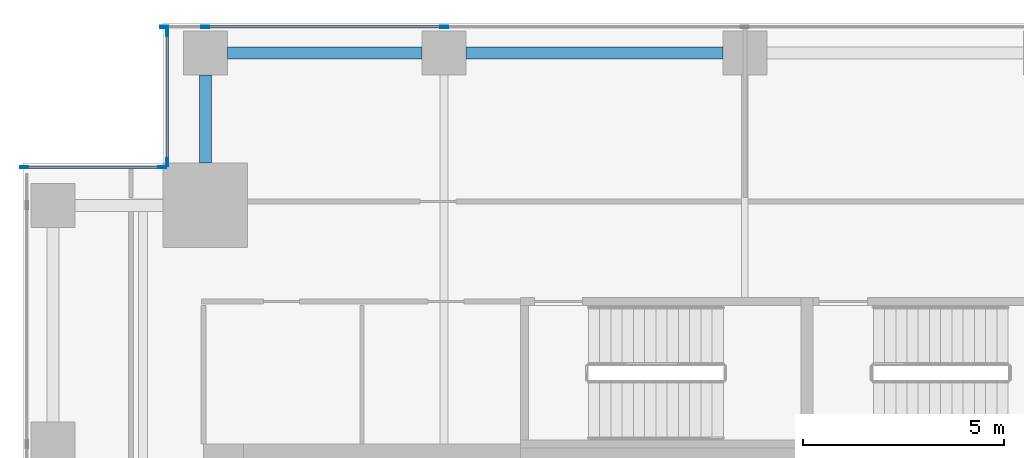
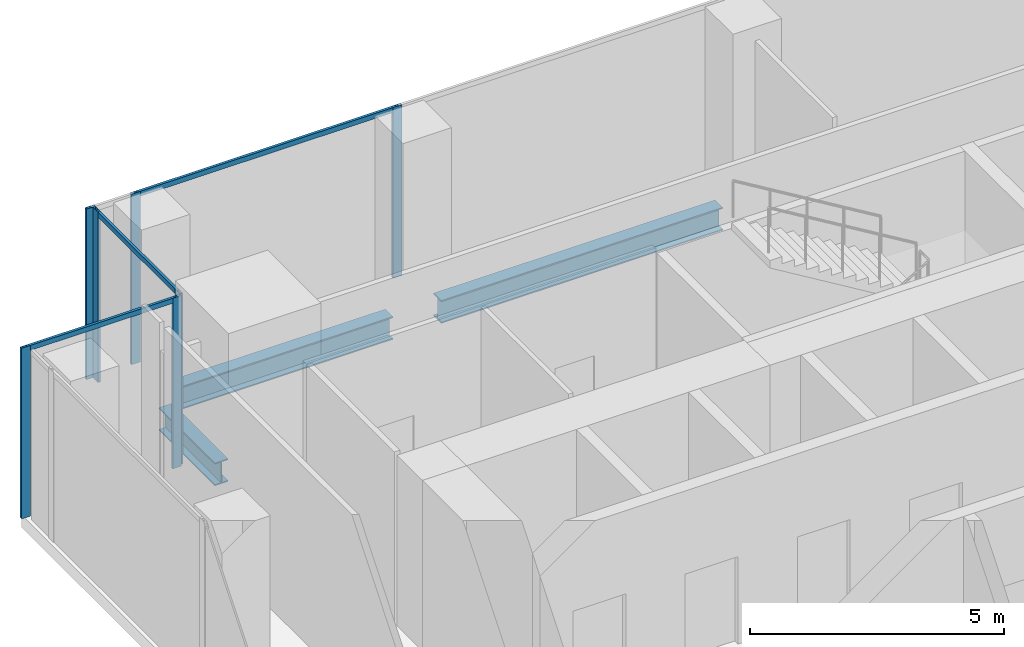
# One storey, part 16 of 34: 10 members, 3 beams, 3 elements without a shape of their own.
"""IFC4 building model written with IfcOpenShell, lengths in metres."""

from ifc_helpers import new_model, si_unit, direction, frame, origin, origin_2d, place, context, subcontext, project, spatial, hollow_rectangle, i_section, extrude, source, transform, mapped, material, material_profile, profile_set, type_object, element, aggregate, save


model = new_model("IFC4")

# Units and contexts
model_context = context("Model", 3, precision=1e-05, world=origin(), true_north=direction((0.0, 1.0)))
body_context = subcontext(model_context, "Body", "Model", "MODEL_VIEW")
ifc_project = project(units=[si_unit("LENGTHUNIT", "METRE"), si_unit("AREAUNIT", "SQUARE_METRE"), si_unit("VOLUMEUNIT", "CUBIC_METRE"), si_unit("PLANEANGLEUNIT", "RADIAN"), si_unit("MASSUNIT", "GRAM", prefix="KILO")], contexts=[model_context])

# Site, building, storey
site_placement = place(None, origin())
site = spatial("IfcSite", under=ifc_project, at=site_placement, CompositionType="ELEMENT")
building_placement = place(site_placement, origin())
building = spatial("IfcBuilding", under=site, at=building_placement, Name="Khomas Fold Tower", CompositionType="ELEMENT")
storey_placement = place(building_placement, frame((0.0, 0.0, 123.5)))
storey = spatial("IfcBuildingStorey", under=building, at=storey_placement, Name="L26", CompositionType="ELEMENT", Elevation=123.5)

# Beams
ifc_material_1 = material(Name="Steel S355", Category="steel")
ifc_material_profile_1 = material_profile(ifc_material_1, i_section(OverallWidth=0.300048828125, OverallDepth=0.550048828125, WebThickness=0.014892578125, FlangeThickness=0.029052734375, at=origin_2d()), Name="HE 550 B")
ifc_profile_set_1 = profile_set([ifc_material_profile_1], Name="Steel S355")
beam_type = type_object("IfcBeamType", Name="HE 550 B spandrel SB2", PredefinedType="SPANDREL", material=ifc_profile_set_1)
shared_shape_1 = source(origin(), body_context, "Body", "SweptSolid", [
    extrude(i_section(OverallWidth=0.300048828125, OverallDepth=0.550048828125, WebThickness=0.014892578125, FlangeThickness=0.029052734375, at=origin_2d()), origin(), (0.0, 0.0, 1.0), 4.849853515625),
])
beam_1_placement = place(storey_placement, frame((6.60009765625, 51.75, -0.574951171875), z_axis=(1.0, 0.0, 0.0), x_axis=(0.0, 1.0, 0.0)))
element("IfcBeam", 1, at=beam_1_placement, inside=storey, type_object=beam_type, Name="SB2", PredefinedType="SPANDREL", context=body_context, shape_type="MappedRepresentation", body=[
    mapped(shared_shape_1, transform((0.0, 0.0, 0.0))),
])
shared_shape_2 = source(origin(), body_context, "Body", "SweptSolid", [
    extrude(i_section(OverallWidth=0.300048828125, OverallDepth=0.550048828125, WebThickness=0.014892578125, FlangeThickness=0.029052734375, at=origin_2d()), origin(), (0.0, 0.0, 1.0), 6.39990234375),
])
beam_2_placement = place(storey_placement, frame((12.550048828125, 51.75, -0.574951171875), z_axis=(1.0, 0.0, 0.0), x_axis=(0.0, 1.0, 0.0)))
element("IfcBeam", 2, at=beam_2_placement, inside=storey, type_object=beam_type, Name="SB2", PredefinedType="SPANDREL", context=body_context, shape_type="MappedRepresentation", body=[
    mapped(shared_shape_2, transform((0.0, 0.0, 0.0))),
])
shared_shape_3 = source(origin(), body_context, "Body", "SweptSolid", [
    extrude(i_section(OverallWidth=0.300048828125, OverallDepth=0.550048828125, WebThickness=0.014892578125, FlangeThickness=0.029052734375, at=origin_2d()), origin(), (0.0, 0.0, 1.0), 2.199951171875),
])
beam_3_placement = place(storey_placement, frame((6.050048828125, 49.0, -0.574951171875), z_axis=(0.0, 1.0, 0.0), x_axis=(-1.0, 0.0, 0.0)))
element("IfcBeam", 3, at=beam_3_placement, inside=storey, type_object=beam_type, Name="SB2", PredefinedType="SPANDREL", context=body_context, shape_type="MappedRepresentation", body=[
    mapped(shared_shape_3, transform((0.0, 0.0, 0.0))),
])

# Curtain wall, members
ifc_material_2 = material(Name="Aluminium framed double glazing", Category="aluminium")
curtain_wall_type = type_object("IfcCurtainWallType", Name="SK-Unitised clear-glass wall, growing floors CW1", PredefinedType="NOTDEFINED", material=ifc_material_2)
curtain_wall_1_placement = place(storey_placement, origin())
curtain_wall_1 = element("IfcCurtainWall", 4, at=curtain_wall_1_placement, inside=storey, type_object=curtain_wall_type, Name="CW1 run L26 06-1", PredefinedType="NOTDEFINED")
ifc_material_3 = material(Name="Aluminium", Category="aluminium")
ifc_material_profile_2 = material_profile(ifc_material_3, hollow_rectangle(XDim=0.06005859375, YDim=0.199951171875, WallThickness=0.00390625, at=origin_2d()), Name="SK-Unitised clear-glass wall, growing floors mullion CW1-M")
ifc_profile_set_2 = profile_set([ifc_material_profile_2], Name="Aluminium")
member_type_1 = type_object("IfcMemberType", Name="SK-Unitised clear-glass wall, growing floors mullion CW1-M", PredefinedType="MULLION", material=ifc_profile_set_2)
shared_shape_4 = source(origin(), body_context, "Body", "SweptSolid", [
    extrude(hollow_rectangle(XDim=0.06005859375, YDim=0.199951171875, WallThickness=0.00390625, at=origin_2d()), origin(), (0.0, 0.0, 1.0), 4.10009765625),
])
member_1_placement = place(storey_placement, frame((12.0, 52.39990234375, 0.0), z_axis=(0.0, 0.0, 1.0), x_axis=(0.0, -1.0, 0.0)))
member_1 = element("IfcMember", 5, at=member_1_placement, type_object=member_type_1, Name="CW1 mullion 4", PredefinedType="MULLION", context=body_context, shape_type="MappedRepresentation", body=[
    mapped(shared_shape_4, transform((0.0, 0.0, 0.0))),
])
member_2_placement = place(storey_placement, frame((6.050048828125, 52.39990234375, 0.0), z_axis=(0.0, 0.0, 1.0), x_axis=(0.0, -1.0, 0.0)))
member_2 = element("IfcMember", 6, at=member_2_placement, type_object=member_type_1, Name="CW1 mullion 5", PredefinedType="MULLION", context=body_context, shape_type="MappedRepresentation", body=[
    mapped(shared_shape_4, transform((0.0, 0.0, 0.0))),
])
member_3_placement = place(storey_placement, frame((5.030029296875, 52.39990234375, 0.0), z_axis=(0.0, 0.0, 1.0), x_axis=(0.0, -1.0, 0.0)))
member_3 = element("IfcMember", 7, at=member_3_placement, type_object=member_type_1, Name="CW1 mullion 6", PredefinedType="MULLION", context=body_context, shape_type="MappedRepresentation", body=[
    mapped(shared_shape_4, transform((0.0, 0.0, 0.0))),
])

curtain_wall_2_placement = place(storey_placement, origin())
curtain_wall_2 = element("IfcCurtainWall", 8, at=curtain_wall_2_placement, inside=storey, type_object=curtain_wall_type, Name="CW1 corner return L26 07", PredefinedType="NOTDEFINED")
member_4_placement = place(storey_placement, frame((5.10009765625, 52.27001953125, 0.0), z_axis=(0.0, 0.0, 1.0), x_axis=(1.0, 0.0, 0.0)))
member_4 = element("IfcMember", 9, at=member_4_placement, type_object=member_type_1, Name="CW1 mullion 1", PredefinedType="MULLION", context=body_context, shape_type="MappedRepresentation", body=[
    mapped(shared_shape_4, transform((0.0, 0.0, 0.0))),
])
member_5_placement = place(storey_placement, frame((5.10009765625, 49.030029296875, 0.0), z_axis=(0.0, 0.0, 1.0), x_axis=(1.0, 0.0, 0.0)))
member_5 = element("IfcMember", 10, at=member_5_placement, type_object=member_type_1, Name="CW1 mullion 2", PredefinedType="MULLION", context=body_context, shape_type="MappedRepresentation", body=[
    mapped(shared_shape_4, transform((0.0, 0.0, 0.0))),
])

curtain_wall_3_placement = place(storey_placement, origin())
curtain_wall_3 = element("IfcCurtainWall", 11, at=curtain_wall_3_placement, inside=storey, type_object=curtain_wall_type, Name="CW1 corner return L26 08", PredefinedType="NOTDEFINED")
member_6_placement = place(storey_placement, frame((4.969970703125, 48.89990234375, 0.0), z_axis=(0.0, 0.0, 1.0), x_axis=(0.0, -1.0, 0.0)))
member_6 = element("IfcMember", 12, at=member_6_placement, type_object=member_type_1, Name="CW1 mullion 1", PredefinedType="MULLION", context=body_context, shape_type="MappedRepresentation", body=[
    mapped(shared_shape_4, transform((0.0, 0.0, 0.0))),
])
member_7_placement = place(storey_placement, frame((1.530029296875, 48.89990234375, 0.0), z_axis=(0.0, 0.0, 1.0), x_axis=(0.0, -1.0, 0.0)))
member_7 = element("IfcMember", 13, at=member_7_placement, type_object=member_type_1, Name="CW1 mullion 2", PredefinedType="MULLION", context=body_context, shape_type="MappedRepresentation", body=[
    mapped(shared_shape_4, transform((0.0, 0.0, 0.0))),
])

# Member
ifc_material_4 = material(Name="Aluminium", Category="aluminium")
ifc_material_profile_3 = material_profile(ifc_material_4, hollow_rectangle(XDim=0.06005859375, YDim=0.1201171875, WallThickness=0.00390625, at=origin_2d()), Name="SK-Unitised clear-glass wall, growing floors transom CW1-T")
ifc_profile_set_3 = profile_set([ifc_material_profile_3], Name="Aluminium")
member_type_2 = type_object("IfcMemberType", Name="SK-Unitised clear-glass wall, growing floors transom CW1-T", PredefinedType="USERDEFINED", material=ifc_profile_set_3)
shared_shape_5 = source(origin(), body_context, "Body", "SweptSolid", [
    extrude(hollow_rectangle(XDim=0.06005859375, YDim=0.1201171875, WallThickness=0.00390625, at=origin_2d()), origin(), (0.0, 0.0, 1.0), 5.889892578125),
])
member_8_placement = place(storey_placement, frame((11.969970703125, 52.39990234375, 4.0400390625), z_axis=(-1.0, 0.0, 0.0), x_axis=(0.0, -1.0, 0.0)))
member_8 = element("IfcMember", 14, at=member_8_placement, type_object=member_type_2, Name="CW1 transom 4", ObjectType="TRANSOM", PredefinedType="USERDEFINED", context=body_context, shape_type="MappedRepresentation", body=[
    mapped(shared_shape_5, transform((0.0, 0.0, 0.0))),
])

aggregate(curtain_wall_1, [member_1, member_2, member_3, member_8])

shared_shape_6 = source(origin(), body_context, "Body", "SweptSolid", [
    extrude(hollow_rectangle(XDim=0.06005859375, YDim=0.1201171875, WallThickness=0.00390625, at=origin_2d()), origin(), (0.0, 0.0, 1.0), 3.179931640625),
])
member_9_placement = place(storey_placement, frame((5.10009765625, 52.239990234375, 4.0400390625), z_axis=(0.0, -1.0, 0.0), x_axis=(1.0, 0.0, 0.0)))
member_9 = element("IfcMember", 15, at=member_9_placement, type_object=member_type_2, Name="CW1 transom 1", ObjectType="TRANSOM", PredefinedType="USERDEFINED", context=body_context, shape_type="MappedRepresentation", body=[
    mapped(shared_shape_6, transform((0.0, 0.0, 0.0))),
])

aggregate(curtain_wall_2, [member_4, member_5, member_9])

shared_shape_7 = source(origin(), body_context, "Body", "SweptSolid", [
    extrude(hollow_rectangle(XDim=0.06005859375, YDim=0.1201171875, WallThickness=0.00390625, at=origin_2d()), origin(), (0.0, 0.0, 1.0), 3.3798828125),
])
member_10_placement = place(storey_placement, frame((4.93994140625, 48.89990234375, 4.0400390625), z_axis=(-1.0, 0.0, 0.0), x_axis=(0.0, -1.0, 0.0)))
member_10 = element("IfcMember", 16, at=member_10_placement, type_object=member_type_2, Name="CW1 transom 1", ObjectType="TRANSOM", PredefinedType="USERDEFINED", context=body_context, shape_type="MappedRepresentation", body=[
    mapped(shared_shape_7, transform((0.0, 0.0, 0.0))),
])

aggregate(curtain_wall_3, [member_6, member_7, member_10])

save(model, "model.ifc")
